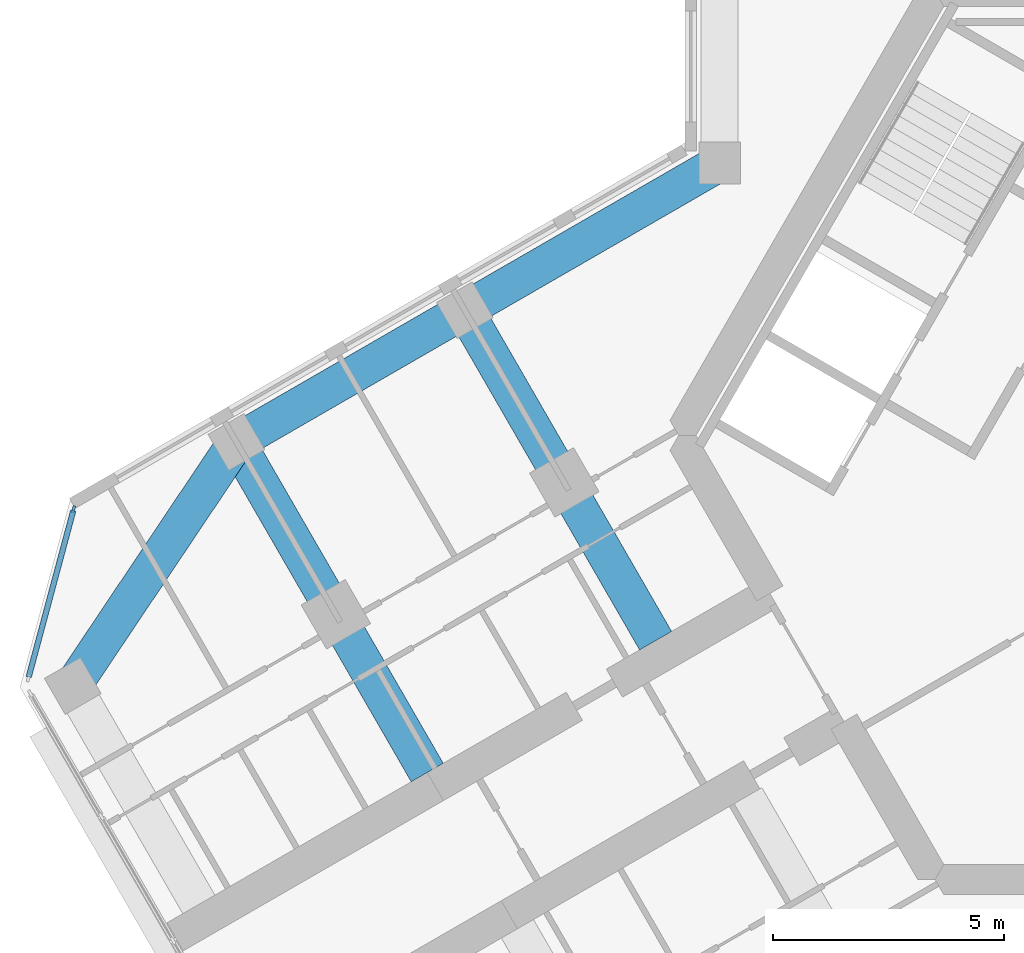
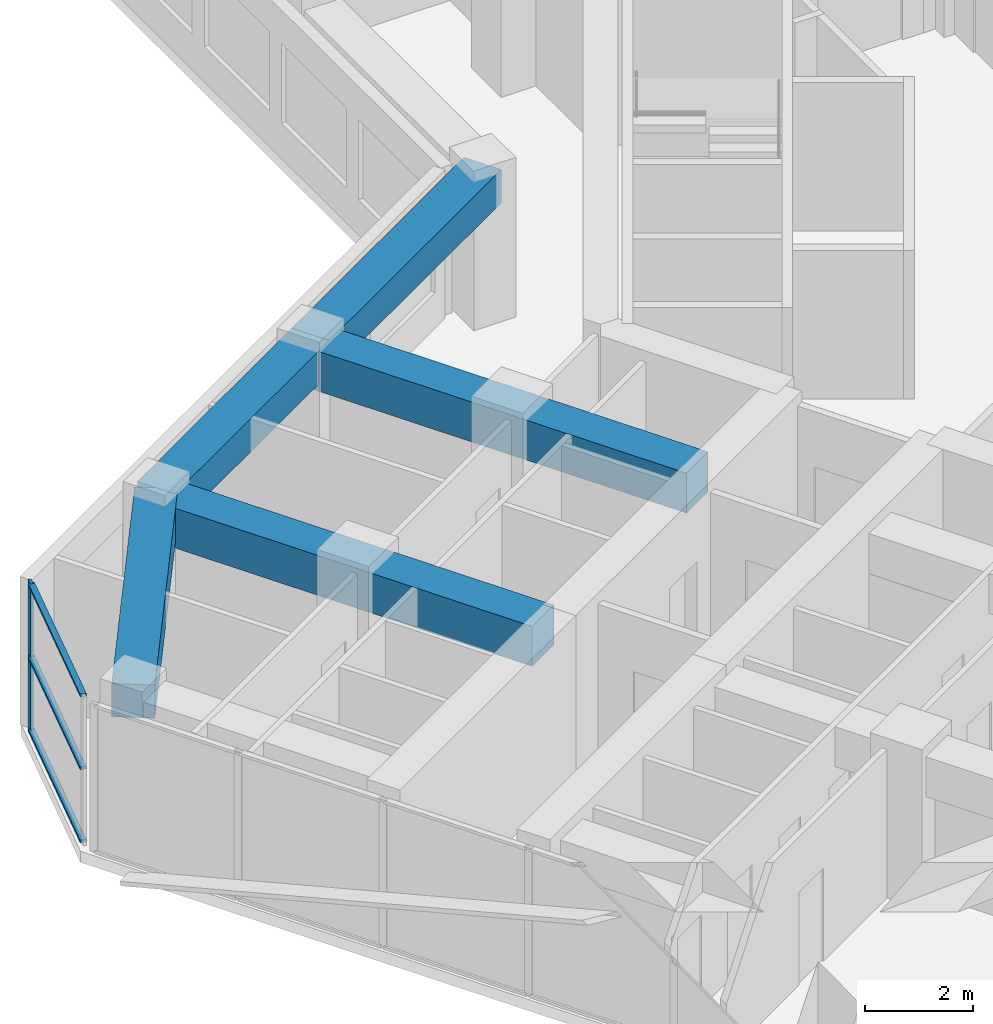
# One storey, part 3 of 16: 5 beams, 4 members, 1 element without a shape of its own.
"""IFC4 building model written with IfcOpenShell, lengths in metres."""

from ifc_helpers import new_model, si_unit, direction, frame, origin, origin_2d, place, context, subcontext, project, spatial, rectangle, extrude, material, material_profile, profile_set, type_object, element, aggregate, save


model = new_model("IFC4")

# Units and contexts
model_context = context("Model", 3, precision=1e-05, world=origin(), true_north=direction((0.0, 1.0)))
body_context = subcontext(model_context, "Body", "Model", "MODEL_VIEW")
ifc_project = project(units=[si_unit("LENGTHUNIT", "METRE"), si_unit("AREAUNIT", "SQUARE_METRE"), si_unit("VOLUMEUNIT", "CUBIC_METRE"), si_unit("PLANEANGLEUNIT", "RADIAN"), si_unit("MASSUNIT", "GRAM", prefix="KILO")], contexts=[model_context])

# Site, building, storey
site_placement = place(None, origin())
site = spatial("IfcSite", under=ifc_project, at=site_placement, CompositionType="ELEMENT")
building_placement = place(site_placement, origin())
building = spatial("IfcBuilding", under=site, at=building_placement, Name="Kosmar Iwan School Tower", CompositionType="ELEMENT")
storey_placement = place(building_placement, frame((0.0, 0.0, 201.0)))
storey = spatial("IfcBuildingStorey", under=building, at=storey_placement, Name="L50", CompositionType="ELEMENT", Elevation=201.0)

# Curtain wall, member
ifc_material_1 = material(Name="Dark glass in black aluminium frame", Category="aluminium")
curtain_wall_type = type_object("IfcCurtainWallType", Name="Chamfer curtain wall dark glass", PredefinedType="USERDEFINED", material=ifc_material_1)
curtain_wall_placement = place(storey_placement, origin())
curtain_wall = element("IfcCurtainWall", 1, at=curtain_wall_placement, inside=storey, type_object=curtain_wall_type, Name="Curtain wall L50-F10", ObjectType="FACETED CURTAIN WALL", PredefinedType="USERDEFINED")
ifc_material_2 = material(Name="Black anodised aluminium", Category="aluminium")
ifc_material_profile_1 = material_profile(ifc_material_2, rectangle(XDim=0.06005859375, YDim=0.159912109375, at=origin_2d()), Name="MULLION 60x160")
ifc_profile_set_1 = profile_set([ifc_material_profile_1], Name="Black anodised aluminium")
member_type_1 = type_object("IfcMemberType", Name="Mullion 60x160", PredefinedType="MULLION", material=ifc_profile_set_1)
member_1_placement = place(storey_placement, frame((-24.163818359375, -1.59814453125, 0.0), z_axis=(0.0, 0.0, 1.0), x_axis=(0.965925875495, -0.258818861462, 0.0)))
member_1 = element("IfcMember", 2, at=member_1_placement, type_object=member_type_1, Name="CW2 mullion 1", PredefinedType="MULLION", context=body_context, shape_type="SweptSolid", body=[
    extrude(rectangle(XDim=0.06005859375, YDim=0.159912109375, at=origin_2d()), origin(), (0.0, 0.0, 1.0), 3.35009765625),
])

# Beams
ifc_material_3 = material(Name="Concrete C50/60", Category="concrete")
ifc_material_profile_2 = material_profile(ifc_material_3, rectangle(XDim=0.800048828125, YDim=0.75, at=origin_2d()), Name="RC 800x750")
ifc_profile_set_2 = profile_set([ifc_material_profile_2], Name="Concrete C50/60")
beam_type_1 = type_object("IfcBeamType", Name="RC edge beam 800x750", PredefinedType="BEAM", material=ifc_profile_set_2)
beam_1_placement = place(storey_placement, frame((-10.199951171875, 5.888916015625, 2.97509765625), z_axis=(-0.866030912664, -0.49999045822, 0.0), x_axis=(0.49999045822, -0.866030912664, 0.0)))
element("IfcBeam", 3, at=beam_1_placement, inside=storey, type_object=beam_type_1, Name="Edge beam BR1", PredefinedType="BEAM", context=body_context, shape_type="SweptSolid", body=[
    extrude(rectangle(XDim=0.800048828125, YDim=0.75, at=origin_2d()), origin(), (0.0, 0.0, 1.0), 6.36083984375),
])
beam_2_placement = place(storey_placement, frame((-15.708740234375, 2.70849609375, 2.97509765625), z_axis=(-0.866025820012, -0.499999279071, 0.0), x_axis=(0.499999279071, -0.866025820012, 0.0)))
element("IfcBeam", 4, at=beam_2_placement, inside=storey, type_object=beam_type_1, Name="Edge beam BR2", PredefinedType="BEAM", context=body_context, shape_type="SweptSolid", body=[
    extrude(rectangle(XDim=0.800048828125, YDim=0.75, at=origin_2d()), origin(), (0.0, 0.0, 1.0), 5.7001953125),
])
ifc_material_4 = material(Name="Concrete C50/60", Category="concrete")
ifc_material_profile_3 = material_profile(ifc_material_4, rectangle(XDim=0.800048828125, YDim=0.75, at=origin_2d()), Name="RC 800x750")
ifc_profile_set_3 = profile_set([ifc_material_profile_3], Name="Concrete C50/60")
beam_type_2 = type_object("IfcBeamType", Name="RC tip beam 800x750", PredefinedType="BEAM", material=ifc_profile_set_3)
beam_3_placement = place(storey_placement, frame((-20.645263671875, -0.1416015625, 2.97509765625), z_axis=(-0.556827604145, -0.83062808721, 0.0), x_axis=(0.83062808721, -0.556827604145, 0.0)))
element("IfcBeam", 5, at=beam_3_placement, inside=storey, type_object=beam_type_2, Name="Tip beam BR", PredefinedType="BEAM", context=body_context, shape_type="SweptSolid", body=[
    extrude(rectangle(XDim=0.800048828125, YDim=0.75, at=origin_2d()), origin(), (0.0, 0.0, 1.0), 6.3505859375),
])
ifc_material_5 = material(Name="Concrete C50/60", Category="concrete")
ifc_material_profile_4 = material_profile(ifc_material_5, rectangle(XDim=0.800048828125, YDim=0.89990234375, at=origin_2d()), Name="RC 800x900")
ifc_profile_set_4 = profile_set([ifc_material_profile_4], Name="Concrete C50/60")
beam_type_3 = type_object("IfcBeamType", Name="RC transverse beam 800x900", PredefinedType="BEAM", material=ifc_profile_set_4)
beam_4_placement = place(storey_placement, frame((-15.708740234375, 2.70849609375, 2.89990234375), z_axis=(0.499996545922, -0.866027397988, 0.0), x_axis=(0.866027397988, 0.499996545922, 0.0)))
element("IfcBeam", 6, at=beam_4_placement, inside=storey, type_object=beam_type_3, Name="Transverse beam BR1", PredefinedType="BEAM", context=body_context, shape_type="SweptSolid", body=[
    extrude(rectangle(XDim=0.800048828125, YDim=0.89990234375, at=origin_2d()), origin(), (0.0, 0.0, 1.0), 8.25),
])
beam_5_placement = place(storey_placement, frame((-20.645263671875, -0.1416015625, 2.89990234375), z_axis=(0.500009360108, -0.866019999656, 0.0), x_axis=(0.866019999656, 0.500009360108, 0.0)))
element("IfcBeam", 7, at=beam_5_placement, inside=storey, type_object=beam_type_3, Name="Transverse beam BR2", PredefinedType="BEAM", context=body_context, shape_type="SweptSolid", body=[
    extrude(rectangle(XDim=0.800048828125, YDim=0.89990234375, at=origin_2d()), origin(), (0.0, 0.0, 1.0), 8.249755859375),
])

# Member
ifc_material_6 = material(Name="Black anodised aluminium", Category="aluminium")
ifc_material_profile_5 = material_profile(ifc_material_6, rectangle(XDim=0.1201171875, YDim=0.06005859375, at=origin_2d()), Name="TRANSOM 60x120")
ifc_profile_set_5 = profile_set([ifc_material_profile_5], Name="Black anodised aluminium")
member_type_2 = type_object("IfcMemberType", Name="Transom 60x120", PredefinedType="USERDEFINED", material=ifc_profile_set_5)
member_2_placement = place(storey_placement, frame((-24.17138671875, -1.627197265625, 0.030029296875), z_axis=(-0.258843273983, -0.965919333854, 0.0), x_axis=(0.965919333854, -0.258843273983, 0.0)))
member_2 = element("IfcMember", 8, at=member_2_placement, type_object=member_type_2, Name="CW2 transom 1.1", ObjectType="TRANSOM", PredefinedType="USERDEFINED", context=body_context, shape_type="SweptSolid", body=[
    extrude(rectangle(XDim=0.1201171875, YDim=0.06005859375, at=origin_2d()), origin(), (0.0, 0.0, 1.0), 3.718994140625),
])

member_3_placement = place(storey_placement, frame((-24.17138671875, -1.627197265625, 1.675048828125), z_axis=(-0.258843273983, -0.965919333854, 0.0), x_axis=(0.965919333854, -0.258843273983, 0.0)))
member_3 = element("IfcMember", 9, at=member_3_placement, type_object=member_type_2, Name="CW2 transom 1.2", ObjectType="TRANSOM", PredefinedType="USERDEFINED", context=body_context, shape_type="SweptSolid", body=[
    extrude(rectangle(XDim=0.1201171875, YDim=0.06005859375, at=origin_2d()), origin(), (0.0, 0.0, 1.0), 3.718994140625),
])

member_4_placement = place(storey_placement, frame((-24.17138671875, -1.627197265625, 3.320068359375), z_axis=(-0.258843273983, -0.965919333854, 0.0), x_axis=(0.965919333854, -0.258843273983, 0.0)))
member_4 = element("IfcMember", 10, at=member_4_placement, type_object=member_type_2, Name="CW2 transom 1.3", ObjectType="TRANSOM", PredefinedType="USERDEFINED", context=body_context, shape_type="SweptSolid", body=[
    extrude(rectangle(XDim=0.1201171875, YDim=0.06005859375, at=origin_2d()), origin(), (0.0, 0.0, 1.0), 3.718994140625),
])

aggregate(curtain_wall, [member_1, member_2, member_3, member_4])

save(model, "model.ifc")
